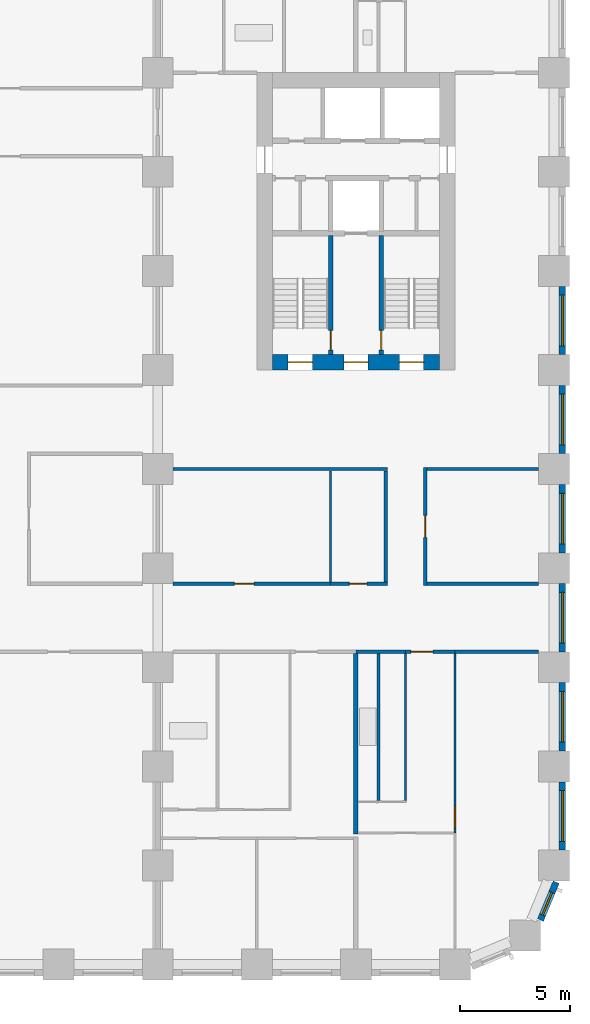
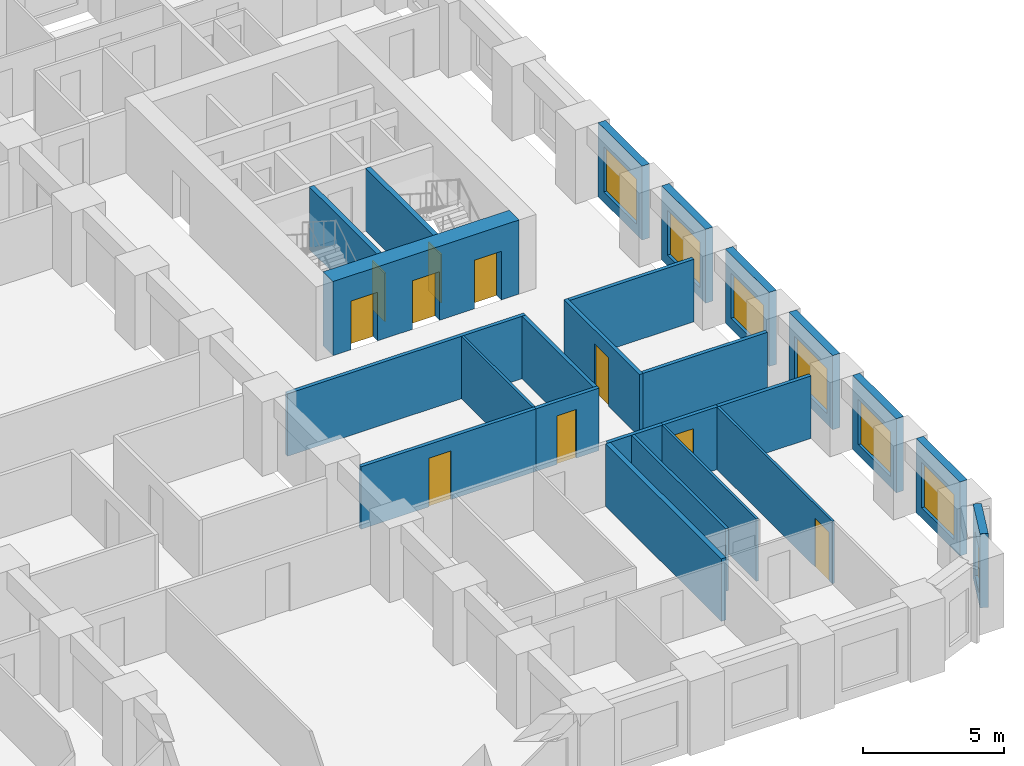
# One storey, part 5 of 12: 25 walls, 10 doors, 7 windows, 17 openings.
"""IFC4 building model written with IfcOpenShell, lengths in metres."""

import ifcopenshell
import ifcopenshell.guid

model = None  # the IFC model being written
_history = None  # IfcOwnerHistory: only IFC2X3 demands one
_inside = {}  # id of a spatial element -> (the spatial element, [elements in it])
_under = {}  # id of a project, library or spatial element -> (it, [spatial elements below it])
_declared = {}  # id of a project -> (the project, [libraries it declares])
_typed = {}  # id of a type object -> (the type object, [elements of that type])
_made_of = {}  # id of a material, layer set ... -> (it, [elements and type objects made of it])


def new_model(schema):
    """Start an empty IFC model of exactly this schema.

    Asked for "IFC4X3", IfcOpenShell would pick the latest addendum, in which some entities
    have other attributes; the version numbers below select the first issue.
    IFC2X3 requires an IfcOwnerHistory on every rooted entity: one is made here for all.
    """
    global model, _history
    if schema == "IFC4X3":
        model = ifcopenshell.file(schema_version=(4, 3, 0, 0))
    else:
        model = ifcopenshell.file(schema=schema)
    _inside.clear()
    _under.clear()
    _declared.clear()
    _typed.clear()
    _made_of.clear()
    _history = None
    if model.schema == "IFC2X3":
        org = make("IfcOrganization", Name="unknown")
        user = make(
            "IfcPersonAndOrganization",
            ThePerson=make("IfcPerson", FamilyName="unknown"),
            TheOrganization=org,
        )
        app = make(
            "IfcApplication",
            ApplicationDeveloper=org,
            Version="unknown",
            ApplicationFullName="unknown",
            ApplicationIdentifier="unknown",
        )
        _history = make(
            "IfcOwnerHistory",
            OwningUser=user,
            OwningApplication=app,
            ChangeAction="ADDED",
            CreationDate=0,
        )
    return model


def make(cls, **values):
    """One entity of the class cls with the attributes given. An attribute that is None is left unset."""
    return model.create_entity(
        cls, **{name: value for name, value in values.items() if value is not None}
    )


def rooted(cls, **values):
    """An entity with a GlobalId (a new one), such as an element, a storey or a relation."""
    return make(cls, GlobalId=ifcopenshell.guid.new(), OwnerHistory=_history, **values)


def si_unit(unit_type, name, prefix=None):
    """IfcSIUnit, for example si_unit("LENGTHUNIT", "METRE", prefix="MILLI")."""
    return make("IfcSIUnit", UnitType=unit_type, Prefix=prefix, Name=name)


def assignment(units):
    """IfcUnitAssignment: the units of a project."""
    return None if units is None else make("IfcUnitAssignment", Units=units)


def point(xyz):
    """IfcCartesianPoint."""
    return None if xyz is None else make("IfcCartesianPoint", Coordinates=xyz)


def direction(xyz):
    """IfcDirection."""
    return None if xyz is None else make("IfcDirection", DirectionRatios=xyz)


def frame(location, z_axis=None, x_axis=None):
    """IfcAxis2Placement3D, a coordinate frame: its origin and axes. An axis left out is left unset."""
    return make(
        "IfcAxis2Placement3D",
        Location=point(location),
        Axis=direction(z_axis),
        RefDirection=direction(x_axis),
    )


def frame_2d(location, x_axis=None):
    """IfcAxis2Placement2D, a coordinate frame in the plane: its origin and x axis."""
    return make(
        "IfcAxis2Placement2D", Location=point(location), RefDirection=direction(x_axis)
    )


def origin():
    """The frame at (0, 0, 0) with its axes left unset."""
    return frame((0.0, 0.0, 0.0))


def place(relative_to, where):
    """IfcLocalPlacement: puts the frame where relative to a parent placement (None: the world)."""
    return make(
        "IfcLocalPlacement", PlacementRelTo=relative_to, RelativePlacement=where
    )


def context(
    kind, dimensions, precision=None, world=None, true_north=None, identifier=None
):
    """IfcGeometricRepresentationContext, for example the 3D "Model" context."""
    return make(
        "IfcGeometricRepresentationContext",
        ContextIdentifier=identifier,
        ContextType=kind,
        CoordinateSpaceDimension=dimensions,
        Precision=precision,
        WorldCoordinateSystem=world,
        TrueNorth=true_north,
    )


def subcontext(parent, identifier, kind, view, scale=None):
    """IfcGeometricRepresentationSubContext, for example "Body" below "Model"."""
    return make(
        "IfcGeometricRepresentationSubContext",
        ContextIdentifier=identifier,
        ContextType=kind,
        ParentContext=parent,
        TargetScale=scale,
        TargetView=view,
    )


def project(units=None, contexts=None):
    """IfcProject with its units and contexts."""
    return rooted(
        "IfcProject",
        Name="project",
        RepresentationContexts=contexts,
        UnitsInContext=assignment(units),
    )


def spatial(cls, under=None, at=None, **own):
    """A site, building, storey or space (cls), placed at a placement, below another one or the project."""
    s = rooted(cls, ObjectPlacement=at, **own)
    if under is not None:
        _under.setdefault(under.id(), (under, []))[1].append(s)
    return s


def profile(cls, at=None, kind="AREA", **sizes):
    """A parametric profile (cls). Its sizes go by their IFC names, for example OverallWidth=200.0."""
    return make(cls, ProfileType=kind, Position=at, **sizes)


def rectangle(**sizes):
    """IfcRectangleProfileDef."""
    return profile("IfcRectangleProfileDef", **sizes)


def extrude(swept, where, along, depth):
    """IfcExtrudedAreaSolid: the profile swept, set in the frame where, extruded along a direction by depth."""
    return make(
        "IfcExtrudedAreaSolid",
        SweptArea=swept,
        Position=where,
        ExtrudedDirection=direction(along),
        Depth=depth,
    )


def shape(context_of_items, identifier, shape_type, items):
    """IfcShapeRepresentation: the items that make up one representation, for example the "Body"."""
    return make(
        "IfcShapeRepresentation",
        ContextOfItems=context_of_items,
        RepresentationIdentifier=identifier,
        RepresentationType=shape_type,
        Items=items,
    )


def material(Name=None, Category=None):
    """IfcMaterial."""
    return make("IfcMaterial", Name=Name, Category=Category)


def layer(
    of_material, thickness, ventilated=None, Name=None, Category=None, Priority=None
):
    """IfcMaterialLayer: one layer of a wall or slab, of a material (None: an air gap)."""
    return make(
        "IfcMaterialLayer",
        Material=of_material,
        LayerThickness=thickness,
        IsVentilated=ventilated,
        Name=Name,
        Category=Category,
        Priority=Priority,
    )


def layer_set(layers, Name=None):
    """IfcMaterialLayerSet."""
    return make("IfcMaterialLayerSet", MaterialLayers=layers, LayerSetName=Name)


def made_of(thing, what):
    """Note that an element or type object is made of a material, layer set ...; save() writes the relation."""
    if what is not None:
        _made_of.setdefault(what.id(), (what, []))[1].append(thing)
    return thing


def type_object(cls, material=None, **own):
    """A type object (cls), such as IfcWallType, which elements share."""
    return made_of(rooted(cls, **own), material)


def element(
    cls,
    number,
    at=None,
    inside=None,
    cuts=None,
    type_object=None,
    material=None,
    context=None,
    identifier="Body",
    shape_type=None,
    held_by="IfcProductDefinitionShape",
    body=None,
    shapes=None,
    **own,
):
    """One element of the class cls, such as IfcWall. Its Tag is "e" and its number.

    at: its placement. inside: the storey or other place that contains it. cuts: it is an
    opening in that element (IfcRelVoidsElement). A single representation is given by context,
    identifier, shape_type and body (its items); several are given by shapes. held_by: the class
    of the entity that holds the representations. save() writes the other relations.
    """
    e = rooted(cls, Tag="e%d" % number, ObjectPlacement=at, **own)
    if body is not None:
        shapes = [shape(context, identifier, shape_type, body)]
    if shapes is not None:
        e.Representation = make(held_by, Representations=shapes)
    if inside is not None:
        _inside.setdefault(inside.id(), (inside, []))[1].append(e)
    if cuts is not None:
        rooted(
            "IfcRelVoidsElement", RelatingBuildingElement=cuts, RelatedOpeningElement=e
        )
    if type_object is not None:
        _typed.setdefault(type_object.id(), (type_object, []))[1].append(e)
    return made_of(e, material)


def fill(opening, filler):
    """IfcRelFillsElement: the door or window that sits in an opening."""
    return rooted(
        "IfcRelFillsElement",
        RelatingOpeningElement=opening,
        RelatedBuildingElement=filler,
    )


def aggregate(whole, parts):
    """IfcRelAggregates: a whole, such as a stair, and the parts it consists of."""
    return rooted("IfcRelAggregates", RelatingObject=whole, RelatedObjects=parts)


def save(model, path):
    """Write the relations noted so far, then the file.

    IfcRelAggregates (storeys below a building ...), IfcRelContainedInSpatialStructure (elements
    in a storey), IfcRelDefinesByType, IfcRelAssociatesMaterial and IfcRelDeclares: one each for
    every whole, place, type object, material and project.
    """
    for whole, parts in _under.values():
        aggregate(whole, parts)
    for where, things in _inside.values():
        rooted(
            "IfcRelContainedInSpatialStructure",
            RelatedElements=things,
            RelatingStructure=where,
        )
    for kind, things in _typed.values():
        rooted("IfcRelDefinesByType", RelatedObjects=things, RelatingType=kind)
    for what, things in _made_of.values():
        rooted("IfcRelAssociatesMaterial", RelatedObjects=things, RelatingMaterial=what)
    for by, libraries in _declared.values():
        rooted("IfcRelDeclares", RelatingContext=by, RelatedDefinitions=libraries)
    model.write(path)


model = new_model("IFC4")

# Units and contexts
model_context = context("Model", 3, precision=1e-05, world=origin(), true_north=direction((0.0, 1.0)))
body_context = subcontext(model_context, "Body", "Model", "MODEL_VIEW")
ifc_project = project(units=[si_unit("LENGTHUNIT", "METRE"), si_unit("AREAUNIT", "SQUARE_METRE"), si_unit("VOLUMEUNIT", "CUBIC_METRE"), si_unit("PLANEANGLEUNIT", "RADIAN"), si_unit("MASSUNIT", "GRAM", prefix="KILO")], contexts=[model_context])

# Site, building, storey
site_placement = place(None, origin())
site = spatial("IfcSite", under=ifc_project, at=site_placement, CompositionType="ELEMENT")
building_placement = place(site_placement, origin())
building = spatial("IfcBuilding", under=site, at=building_placement, Name="Girih Gate Residences", CompositionType="ELEMENT")
storey_placement = place(building_placement, frame((0.0, 0.0, 72.0)))
storey = spatial("IfcBuildingStorey", under=building, at=storey_placement, Name="L19", CompositionType="ELEMENT", Elevation=72.0)

# Wall
ifc_material_1 = material(Name="Gypsum board on steel studs", Category="steel")
ifc_layer_1 = layer(ifc_material_1, 0.14990234375)
ifc_layer_set_1 = layer_set([ifc_layer_1], Name="Compartment wall 150 mm")
wall_type_1 = type_object("IfcWallType", Name="Compartment wall 150 mm", PredefinedType="PARTITIONING", material=ifc_layer_set_1)
wall_1_placement = place(storey_placement, frame((40.5, 14.199951171875, 0.0), z_axis=(0.0, 0.0, 1.0), x_axis=(1.0, 0.0, 0.0)))
element("IfcWall", 1, at=wall_1_placement, inside=storey, type_object=wall_type_1, Name="L19 partition", PredefinedType="PARTITIONING", context=body_context, shape_type="SweptSolid", body=[
    extrude(rectangle(XDim=2.25, YDim=0.14990234375, at=frame_2d((1.125, 0.0))), origin(), (0.0, 0.0, 1.0), 2.699951171875),
])

# Wall, opening, door
wall_2_placement = place(storey_placement, frame((45.0, 14.199951171875, 0.0), z_axis=(0.0, 0.0, 1.0), x_axis=(-1.0, 0.0, 0.0)))
wall_2 = element("IfcWall", 2, at=wall_2_placement, inside=storey, type_object=wall_type_1, Name="L19 partition", PredefinedType="PARTITIONING", context=body_context, shape_type="SweptSolid", body=[
    extrude(rectangle(XDim=2.25, YDim=0.14990234375, at=frame_2d((1.125, 0.0))), origin(), (0.0, 0.0, 1.0), 2.699951171875),
])
opening_1_placement = place(wall_2_placement, frame((1.0, 0.0, 0.0)))
opening_1 = element("IfcOpeningElement", 3, at=opening_1_placement, cuts=wall_2, Name="Opening A19-018", PredefinedType="OPENING", context=body_context, shape_type="SweptSolid", body=[
    extrude(rectangle(XDim=1.0, YDim=2.10009765625, at=frame_2d((0.5, 1.050048828125))), frame((0.0, 0.0849609375, 0.0), z_axis=(0.0, -1.0, 0.0), x_axis=(1.0, 0.0, 0.0)), (0.0, 0.0, 1.0), 0.169921875),
])
ifc_material_2 = material(Name="Timber, fire-rated core", Category="wood")
door_type_1 = type_object("IfcDoorType", Name="Flat entrance door 1000x2100 FD30S", OperationType="NOTDEFINED", PredefinedType="DOOR", material=ifc_material_2)
door_1_placement = place(opening_1_placement, origin())
door_1 = element("IfcDoor", 4, at=door_1_placement, inside=storey, type_object=door_type_1, Name="Door A19-018", OperationType="SINGLE_SWING_RIGHT", OverallHeight=2.10009765625, OverallWidth=1.0, PredefinedType="DOOR", context=body_context, shape_type="SweptSolid", body=[
    extrude(rectangle(XDim=1.0, YDim=2.10009765625, at=frame_2d((0.5, 1.050048828125))), frame((0.0, 0.02490234375, 0.0), z_axis=(0.0, -1.0, 0.0), x_axis=(1.0, 0.0, 0.0)), (0.0, 0.0, 1.0), 0.050048828125),
])
fill(opening_1, door_1)

# Wall
wall_3_placement = place(storey_placement, frame((45.0, 14.199951171875, 0.0), z_axis=(0.0, 0.0, 1.0), x_axis=(1.0, 0.0, 0.0)))
element("IfcWall", 5, at=wall_3_placement, inside=storey, type_object=wall_type_1, Name="L19 partition", PredefinedType="PARTITIONING", context=body_context, shape_type="SweptSolid", body=[
    extrude(rectangle(XDim=3.800048828125, YDim=0.14990234375, at=frame_2d((1.89990234375, 0.0))), origin(), (0.0, 0.0, 1.0), 2.699951171875),
])

# Wall, opening, door
wall_4_placement = place(storey_placement, frame((32.199951171875, 17.300048828125, 0.0), z_axis=(0.0, 0.0, 1.0), x_axis=(1.0, 0.0, 0.0)))
wall_4 = element("IfcWall", 6, at=wall_4_placement, inside=storey, type_object=wall_type_1, Name="L19 partition", PredefinedType="PARTITIONING", context=body_context, shape_type="SweptSolid", body=[
    extrude(rectangle(XDim=7.150146484375, YDim=0.14990234375, at=frame_2d((3.5751953125, 0.0))), origin(), (0.0, 0.0, 1.0), 2.699951171875),
])
opening_2_placement = place(wall_4_placement, frame((2.77490234375, 0.0, 0.0)))
opening_2 = element("IfcOpeningElement", 7, at=opening_2_placement, cuts=wall_4, Name="Opening A19-042", PredefinedType="OPENING", context=body_context, shape_type="SweptSolid", body=[
    extrude(rectangle(XDim=0.89990234375, YDim=2.10009765625, at=frame_2d((0.449951171875, 1.050048828125))), frame((0.0, 0.0849609375, 0.0), z_axis=(0.0, -1.0, 0.0), x_axis=(1.0, 0.0, 0.0)), (0.0, 0.0, 1.0), 0.169921875),
])
ifc_material_3 = material(Name="Timber", Category="wood")
door_type_2 = type_object("IfcDoorType", Name="Service room door 900x2100", OperationType="NOTDEFINED", PredefinedType="DOOR", material=ifc_material_3)
door_2_placement = place(opening_2_placement, origin())
door_2 = element("IfcDoor", 8, at=door_2_placement, inside=storey, type_object=door_type_2, Name="Door A19-042", OperationType="SINGLE_SWING_LEFT", OverallHeight=2.10009765625, OverallWidth=0.89990234375, PredefinedType="DOOR", context=body_context, shape_type="SweptSolid", body=[
    extrude(rectangle(XDim=0.89990234375, YDim=2.10009765625, at=frame_2d((0.449951171875, 1.050048828125))), frame((0.0, 0.02490234375, 0.0), z_axis=(0.0, -1.0, 0.0), x_axis=(1.0, 0.0, 0.0)), (0.0, 0.0, 1.0), 0.050048828125),
])
fill(opening_2, door_2)

wall_5_placement = place(storey_placement, frame((39.35009765625, 17.300048828125, 0.0), z_axis=(0.0, 0.0, 1.0), x_axis=(1.0, 0.0, 0.0)))
wall_5 = element("IfcWall", 9, at=wall_5_placement, inside=storey, type_object=wall_type_1, Name="L19 partition", PredefinedType="PARTITIONING", context=body_context, shape_type="SweptSolid", body=[
    extrude(rectangle(XDim=2.574951171875, YDim=0.14990234375, at=frame_2d((1.28759765625, 0.0))), origin(), (0.0, 0.0, 1.0), 2.699951171875),
])
opening_3_placement = place(wall_5_placement, frame((0.85009765625, 0.0, 0.0)))
opening_3 = element("IfcOpeningElement", 10, at=opening_3_placement, cuts=wall_5, Name="Opening A19-044", PredefinedType="OPENING", context=body_context, shape_type="SweptSolid", body=[
    extrude(rectangle(XDim=0.800048828125, YDim=2.10009765625, at=frame_2d((0.39990234375, 1.050048828125))), frame((0.0, 0.0849609375, 0.0), z_axis=(0.0, -1.0, 0.0), x_axis=(1.0, 0.0, 0.0)), (0.0, 0.0, 1.0), 0.169921875),
])
door_type_3 = type_object("IfcDoorType", Name="Bathroom door 800x2100", OperationType="NOTDEFINED", PredefinedType="DOOR", material=ifc_material_3)
door_3_placement = place(opening_3_placement, origin())
door_3 = element("IfcDoor", 11, at=door_3_placement, inside=storey, type_object=door_type_3, Name="Door A19-044", OperationType="SINGLE_SWING_LEFT", OverallHeight=2.10009765625, OverallWidth=0.800048828125, PredefinedType="DOOR", context=body_context, shape_type="SweptSolid", body=[
    extrude(rectangle(XDim=0.800048828125, YDim=2.10009765625, at=frame_2d((0.39990234375, 1.050048828125))), frame((0.0, 0.02490234375, 0.0), z_axis=(0.0, -1.0, 0.0), x_axis=(1.0, 0.0, 0.0)), (0.0, 0.0, 1.0), 0.050048828125),
])
fill(opening_3, door_3)

# Walls
wall_6_placement = place(storey_placement, frame((43.72509765625, 17.300048828125, 0.0), z_axis=(0.0, 0.0, 1.0), x_axis=(1.0, 0.0, 0.0)))
element("IfcWall", 12, at=wall_6_placement, inside=storey, type_object=wall_type_1, Name="L19 partition", PredefinedType="PARTITIONING", context=body_context, shape_type="SweptSolid", body=[
    extrude(rectangle(XDim=5.074951171875, YDim=0.14990234375, at=frame_2d((2.53759765625, 0.0))), origin(), (0.0, 0.0, 1.0), 2.699951171875),
])
wall_7_placement = place(storey_placement, frame((32.199951171875, 22.5, 0.0), z_axis=(0.0, 0.0, 1.0), x_axis=(1.0, 0.0, 0.0)))
element("IfcWall", 13, at=wall_7_placement, inside=storey, type_object=wall_type_1, Name="L19 partition", PredefinedType="PARTITIONING", context=body_context, shape_type="SweptSolid", body=[
    extrude(rectangle(XDim=9.72509765625, YDim=0.14990234375, at=frame_2d((4.862548828125, 0.0))), origin(), (0.0, 0.0, 1.0), 2.699951171875),
])
wall_8_placement = place(storey_placement, frame((43.72509765625, 22.5, 0.0), z_axis=(0.0, 0.0, 1.0), x_axis=(1.0, 0.0, 0.0)))
element("IfcWall", 14, at=wall_8_placement, inside=storey, type_object=wall_type_1, Name="L19 partition", PredefinedType="PARTITIONING", context=body_context, shape_type="SweptSolid", body=[
    extrude(rectangle(XDim=5.074951171875, YDim=0.14990234375, at=frame_2d((2.53759765625, 0.0))), origin(), (0.0, 0.0, 1.0), 2.699951171875),
])
wall_9_placement = place(storey_placement, frame((41.85009765625, 17.375, 0.0), z_axis=(0.0, 0.0, 1.0), x_axis=(0.0, 1.0, 0.0)))
element("IfcWall", 15, at=wall_9_placement, inside=storey, type_object=wall_type_1, Name="L19 partition", PredefinedType="PARTITIONING", context=body_context, shape_type="SweptSolid", body=[
    extrude(rectangle(XDim=5.050048828125, YDim=0.14990234375, at=frame_2d((2.52490234375, 0.0))), origin(), (0.0, 0.0, 1.0), 2.699951171875),
])

# Wall, opening, door
wall_10_placement = place(storey_placement, frame((43.64990234375, 22.574951171875, 0.0), z_axis=(0.0, 0.0, 1.0), x_axis=(0.0, -1.0, 0.0)))
wall_10 = element("IfcWall", 16, at=wall_10_placement, inside=storey, type_object=wall_type_1, Name="L19 partition", PredefinedType="PARTITIONING", context=body_context, shape_type="SweptSolid", body=[
    extrude(rectangle(XDim=5.349853515625, YDim=0.14990234375, at=frame_2d((2.6748046875, 0.0))), origin(), (0.0, 0.0, 1.0), 2.699951171875),
])
opening_4_placement = place(wall_10_placement, frame((2.175048828125, 0.0, 0.0)))
opening_4 = element("IfcOpeningElement", 17, at=opening_4_placement, cuts=wall_10, Name="Opening A19-046", PredefinedType="OPENING", context=body_context, shape_type="SweptSolid", body=[
    extrude(rectangle(XDim=1.0, YDim=2.10009765625, at=frame_2d((0.5, 1.050048828125))), frame((0.0, 0.0849609375, 0.0), z_axis=(0.0, -1.0, 0.0), x_axis=(1.0, 0.0, 0.0)), (0.0, 0.0, 1.0), 0.169921875),
])
door_type_4 = type_object("IfcDoorType", Name="Amenity room door 1000x2100 FD30S", OperationType="NOTDEFINED", PredefinedType="DOOR", material=ifc_material_2)
door_4_placement = place(opening_4_placement, origin())
door_4 = element("IfcDoor", 18, at=door_4_placement, inside=storey, type_object=door_type_4, Name="Door A19-046", OperationType="SINGLE_SWING_RIGHT", OverallHeight=2.10009765625, OverallWidth=1.0, PredefinedType="DOOR", context=body_context, shape_type="SweptSolid", body=[
    extrude(rectangle(XDim=1.0, YDim=2.10009765625, at=frame_2d((0.5, 1.050048828125))), frame((0.0, 0.02490234375, 0.0), z_axis=(0.0, -1.0, 0.0), x_axis=(1.0, 0.0, 0.0)), (0.0, 0.0, 1.0), 0.050048828125),
])
fill(opening_4, door_4)

# Wall, openings, doors
ifc_material_4 = material(Name="Concrete C60/75", Category="concrete")
ifc_layer_2 = layer(ifc_material_4, 0.699951171875)
ifc_layer_set_2 = layer_set([ifc_layer_2], Name="Core wall RC 700 Concrete C60/75")
wall_type_2 = type_object("IfcWallType", Name="Core wall RC 700 Concrete C60/75", PredefinedType="SOLIDWALL", material=ifc_layer_set_2)
wall_11_placement = place(storey_placement, frame((36.699951171875, 27.35009765625, 0.0), z_axis=(0.0, 0.0, 1.0), x_axis=(1.0, 0.0, 0.0)))
wall_11 = element("IfcWall", 19, at=wall_11_placement, inside=storey, type_object=wall_type_2, Name="Core wall E-S L19", PredefinedType="SOLIDWALL", context=body_context, shape_type="SweptSolid", body=[
    extrude(rectangle(XDim=7.60009765625, YDim=0.699951171875, at=frame_2d((3.800048828125, 0.0))), origin(), (0.0, 0.0, 1.0), 3.199951171875),
])
opening_5_placement = place(wall_11_placement, frame((5.77490234375, 0.0, 0.0)))
opening_5 = element("IfcOpeningElement", 20, at=opening_5_placement, cuts=wall_11, Name="Opening D-L19-E-011", PredefinedType="OPENING", context=body_context, shape_type="SweptSolid", body=[
    extrude(rectangle(XDim=1.10009765625, YDim=2.10009765625, at=frame_2d((0.550048828125, 1.050048828125))), frame((0.0, 0.35986328125, 0.0), z_axis=(0.0, -1.0, 0.0), x_axis=(1.0, 0.0, 0.0)), (0.0, 0.0, 1.0), 0.719970703125),
])
opening_6_placement = place(wall_11_placement, frame((3.25, 0.0, 0.0)))
opening_6 = element("IfcOpeningElement", 21, at=opening_6_placement, cuts=wall_11, Name="Opening D-L19-E-012", PredefinedType="OPENING", context=body_context, shape_type="SweptSolid", body=[
    extrude(rectangle(XDim=1.10009765625, YDim=2.10009765625, at=frame_2d((0.550048828125, 1.050048828125))), frame((0.0, 0.35986328125, 0.0), z_axis=(0.0, -1.0, 0.0), x_axis=(1.0, 0.0, 0.0)), (0.0, 0.0, 1.0), 0.719970703125),
])
opening_7_placement = place(wall_11_placement, frame((0.72509765625, 0.0, 0.0)))
opening_7 = element("IfcOpeningElement", 22, at=opening_7_placement, cuts=wall_11, Name="Opening D-L19-E-013", PredefinedType="OPENING", context=body_context, shape_type="SweptSolid", body=[
    extrude(rectangle(XDim=1.10009765625, YDim=2.10009765625, at=frame_2d((0.550048828125, 1.050048828125))), frame((0.0, 0.35986328125, 0.0), z_axis=(0.0, -1.0, 0.0), x_axis=(1.0, 0.0, 0.0)), (0.0, 0.0, 1.0), 0.719970703125),
])
ifc_material_5 = material(Name="Painted steel, fire-resisting", Category="steel")
door_type_5 = type_object("IfcDoorType", Name="Fire door 1100x2100", OperationType="SINGLE_SWING_LEFT", PredefinedType="DOOR", material=ifc_material_5)
door_5_placement = place(opening_5_placement, origin())
door_5 = element("IfcDoor", 23, at=door_5_placement, inside=storey, type_object=door_type_5, Name="L19 E core door sta-out", OperationType="SINGLE_SWING_LEFT", OverallHeight=2.10009765625, OverallWidth=1.10009765625, PredefinedType="DOOR", context=body_context, shape_type="SweptSolid", body=[
    extrude(rectangle(XDim=1.10009765625, YDim=2.10009765625, at=frame_2d((0.550048828125, 1.050048828125))), frame((0.0, 0.02490234375, 0.0), z_axis=(0.0, -1.0, 0.0), x_axis=(1.0, 0.0, 0.0)), (0.0, 0.0, 1.0), 0.050048828125),
])
fill(opening_5, door_5)
door_6_placement = place(opening_6_placement, origin())
door_6 = element("IfcDoor", 24, at=door_6_placement, inside=storey, type_object=door_type_5, Name="L19 E core door ffl-out", OperationType="SINGLE_SWING_LEFT", OverallHeight=2.10009765625, OverallWidth=1.10009765625, PredefinedType="DOOR", context=body_context, shape_type="SweptSolid", body=[
    extrude(rectangle(XDim=1.10009765625, YDim=2.10009765625, at=frame_2d((0.550048828125, 1.050048828125))), frame((0.0, 0.02490234375, 0.0), z_axis=(0.0, -1.0, 0.0), x_axis=(1.0, 0.0, 0.0)), (0.0, 0.0, 1.0), 0.050048828125),
])
fill(opening_6, door_6)
door_7_placement = place(opening_7_placement, origin())
door_7 = element("IfcDoor", 25, at=door_7_placement, inside=storey, type_object=door_type_5, Name="L19 E core door stb-out", OperationType="SINGLE_SWING_LEFT", OverallHeight=2.10009765625, OverallWidth=1.10009765625, PredefinedType="DOOR", context=body_context, shape_type="SweptSolid", body=[
    extrude(rectangle(XDim=1.10009765625, YDim=2.10009765625, at=frame_2d((0.550048828125, 1.050048828125))), frame((0.0, 0.02490234375, 0.0), z_axis=(0.0, -1.0, 0.0), x_axis=(1.0, 0.0, 0.0)), (0.0, 0.0, 1.0), 0.050048828125),
])
fill(opening_7, door_7)

# Wall
ifc_layer_3 = layer(ifc_material_1, 0.10009765625)
ifc_layer_set_3 = layer_set([ifc_layer_3], Name="Partition 100 mm")
wall_type_3 = type_object("IfcWallType", Name="Partition 100 mm", PredefinedType="PARTITIONING", material=ifc_layer_set_3)
wall_12_placement = place(storey_placement, frame((42.75, 7.449951171875, 0.0), z_axis=(0.0, 0.0, 1.0), x_axis=(0.0, 1.0, 0.0)))
element("IfcWall", 26, at=wall_12_placement, inside=storey, type_object=wall_type_3, Name="L19 partition", PredefinedType="PARTITIONING", context=body_context, shape_type="SweptSolid", body=[
    extrude(rectangle(XDim=6.675048828125, YDim=0.10009765625, at=frame_2d((3.33740234375, 0.0))), origin(), (0.0, 0.0, 1.0), 2.699951171875),
])

# Wall, opening, door
wall_13_placement = place(storey_placement, frame((45.0, 14.125, 0.0), z_axis=(0.0, 0.0, 1.0), x_axis=(0.0, -1.0, 0.0)))
wall_13 = element("IfcWall", 27, at=wall_13_placement, inside=storey, type_object=wall_type_3, Name="L19 partition", PredefinedType="PARTITIONING", context=body_context, shape_type="SweptSolid", body=[
    extrude(rectangle(XDim=8.14501953125, YDim=0.10009765625, at=frame_2d((4.072509765625, 0.0))), origin(), (0.0, 0.0, 1.0), 2.699951171875),
])
opening_8_placement = place(wall_13_placement, frame((6.93505859375, 0.0, 0.0)))
opening_8 = element("IfcOpeningElement", 28, at=opening_8_placement, cuts=wall_13, Name="Opening A19-017", PredefinedType="OPENING", context=body_context, shape_type="SweptSolid", body=[
    extrude(rectangle(XDim=1.0, YDim=2.10009765625, at=frame_2d((0.5, 1.050048828125))), frame((0.0, 0.06005859375, 0.0), z_axis=(0.0, -1.0, 0.0), x_axis=(1.0, 0.0, 0.0)), (0.0, 0.0, 1.0), 0.1201171875),
])
door_type_6 = type_object("IfcDoorType", Name="Living room door 1000x2100", OperationType="NOTDEFINED", PredefinedType="DOOR", material=ifc_material_3)
door_8_placement = place(opening_8_placement, origin())
door_8 = element("IfcDoor", 29, at=door_8_placement, inside=storey, type_object=door_type_6, Name="Door A19-017", OperationType="SINGLE_SWING_RIGHT", OverallHeight=2.10009765625, OverallWidth=1.0, PredefinedType="DOOR", context=body_context, shape_type="SweptSolid", body=[
    extrude(rectangle(XDim=1.0, YDim=2.10009765625, at=frame_2d((0.5, 1.050048828125))), frame((0.0, 0.02490234375, 0.0), z_axis=(0.0, -1.0, 0.0), x_axis=(1.0, 0.0, 0.0)), (0.0, 0.0, 1.0), 0.050048828125),
])
fill(opening_8, door_8)

# Walls
wall_14_placement = place(storey_placement, frame((39.35009765625, 17.375, 0.0), z_axis=(0.0, 0.0, 1.0), x_axis=(0.0, 1.0, 0.0)))
element("IfcWall", 30, at=wall_14_placement, inside=storey, type_object=wall_type_3, Name="L19 partition", PredefinedType="PARTITIONING", context=body_context, shape_type="SweptSolid", body=[
    extrude(rectangle(XDim=5.050048828125, YDim=0.10009765625, at=frame_2d((2.52490234375, 0.0))), origin(), (0.0, 0.0, 1.0), 2.699951171875),
])
ifc_layer_4 = layer(ifc_material_1, 0.199951171875)
ifc_layer_set_4 = layer_set([ifc_layer_4], Name="Party wall 200 mm")
wall_type_4 = type_object("IfcWallType", Name="Party wall 200 mm", PredefinedType="PARTITIONING", material=ifc_layer_set_4)
wall_15_placement = place(storey_placement, frame((40.5, 5.929931640625, 0.0), z_axis=(0.0, 0.0, 1.0), x_axis=(0.0, 1.0, 0.0)))
element("IfcWall", 31, at=wall_15_placement, inside=storey, type_object=wall_type_4, Name="L19 partition", PredefinedType="PARTITIONING", context=body_context, shape_type="SweptSolid", body=[
    extrude(rectangle(XDim=8.195068359375, YDim=0.199951171875, at=frame_2d((4.09765625, 0.0))), origin(), (0.0, 0.0, 1.0), 2.699951171875),
])

# Wall, opening, window
ifc_material_6 = material(Name="Precast concrete C50/60", Category="concrete")
ifc_layer_5 = layer(ifc_material_6, 0.080078125, Name="Outer leaf")
ifc_material_7 = material(Name="Rigid PIR insulation")
ifc_layer_6 = layer(ifc_material_7, 0.14990234375, Name="Insulation")
ifc_material_8 = material(Name="Precast concrete C40/50", Category="concrete")
ifc_layer_7 = layer(ifc_material_8, 0.070068359375, Name="Inner leaf")
ifc_layer_set_5 = layer_set([ifc_layer_5, ifc_layer_6, ifc_layer_7], Name="Precast concrete C50/60 external wall 300")
wall_type_5 = type_object("IfcWallType", Name="Precast concrete C50/60 external wall 300", PredefinedType="SOLIDWALL", material=ifc_layer_set_5)
wall_16_placement = place(storey_placement, frame((49.59228515625, 3.74267578125, 0.0), z_axis=(0.0, 0.0, 1.0), x_axis=(-0.382737135771, -0.923857286003, 0.0)))
wall_16 = element("IfcWall", 32, at=wall_16_placement, inside=storey, type_object=wall_type_5, Name="External wall SE0482_0013.0", PredefinedType="SOLIDWALL", context=body_context, shape_type="SweptSolid", body=[
    extrude(rectangle(XDim=1.865234375, YDim=0.300048828125, at=frame_2d((0.9326171875, 0.0))), origin(), (0.0, 0.0, 1.0), 3.199951171875),
])
opening_9_placement = place(wall_16_placement, frame((0.507568359375, 0.0, 0.449951171875)))
opening_9 = element("IfcOpeningElement", 33, at=opening_9_placement, cuts=wall_16, Name="Opening W-2C", PredefinedType="OPENING", context=body_context, shape_type="SweptSolid", body=[
    extrude(rectangle(XDim=1.10009765625, YDim=1.949951171875, at=frame_2d((0.550048828125, 0.97509765625))), frame((0.0, 0.159912109375, 0.0), z_axis=(0.0, -1.0, 0.0), x_axis=(1.0, 0.0, 0.0)), (0.0, 0.0, 1.0), 0.320068359375),
])
ifc_material_9 = material(Name="Double glazing in aluminium frame", Category="aluminium")
window_type_1 = type_object("IfcWindowType", Name="Window W-2C 1100x1950", PartitioningType="SINGLE_PANEL", PredefinedType="WINDOW", material=ifc_material_9)
window_1_placement = place(opening_9_placement, origin())
window_1 = element("IfcWindow", 34, at=window_1_placement, inside=storey, type_object=window_type_1, Name="Window W-2C SE0482_0013.0", OverallHeight=1.949951171875, OverallWidth=1.10009765625, PartitioningType="SINGLE_PANEL", PredefinedType="WINDOW", context=body_context, shape_type="SweptSolid", body=[
    extrude(rectangle(XDim=1.10009765625, YDim=1.949951171875, at=frame_2d((0.550048828125, 0.97509765625))), frame((0.0, 0.030029296875, 0.0), z_axis=(0.0, -1.0, 0.0), x_axis=(1.0, 0.0, 0.0)), (0.0, 0.0, 1.0), 0.06005859375),
])
fill(opening_9, window_1)

wall_17_placement = place(storey_placement, frame((49.875, 8.300048828125, 0.0), z_axis=(0.0, 0.0, 1.0), x_axis=(0.0, -1.0, 0.0)))
wall_17 = element("IfcWall", 35, at=wall_17_placement, inside=storey, type_object=wall_type_5, Name="External wall E0495_0045.0", PredefinedType="SOLIDWALL", context=body_context, shape_type="SweptSolid", body=[
    extrude(rectangle(XDim=3.10009765625, YDim=0.300048828125, at=frame_2d((1.550048828125, 0.0))), origin(), (0.0, 0.0, 1.0), 3.199951171875),
])
opening_10_placement = place(wall_17_placement, frame((0.39990234375, 0.0, 0.449951171875)))
opening_10 = element("IfcOpeningElement", 36, at=opening_10_placement, cuts=wall_17, Name="Opening W-1", PredefinedType="OPENING", context=body_context, shape_type="SweptSolid", body=[
    extrude(rectangle(XDim=2.300048828125, YDim=1.949951171875, at=frame_2d((1.14990234375, 0.97509765625))), frame((0.0, 0.159912109375, 0.0), z_axis=(0.0, -1.0, 0.0), x_axis=(1.0, 0.0, 0.0)), (0.0, 0.0, 1.0), 0.320068359375),
])
window_type_2 = type_object("IfcWindowType", Name="Window W-1 2300x1950", PartitioningType="SINGLE_PANEL", PredefinedType="WINDOW", material=ifc_material_9)
window_2_placement = place(opening_10_placement, origin())
window_2 = element("IfcWindow", 37, at=window_2_placement, inside=storey, type_object=window_type_2, Name="Window W-1 E0495_0045.0", OverallHeight=1.949951171875, OverallWidth=2.300048828125, PartitioningType="SINGLE_PANEL", PredefinedType="WINDOW", context=body_context, shape_type="SweptSolid", body=[
    extrude(rectangle(XDim=2.300048828125, YDim=1.949951171875, at=frame_2d((1.14990234375, 0.97509765625))), frame((0.0, 0.030029296875, 0.0), z_axis=(0.0, -1.0, 0.0), x_axis=(1.0, 0.0, 0.0)), (0.0, 0.0, 1.0), 0.06005859375),
])
fill(opening_10, window_2)

wall_18_placement = place(storey_placement, frame((49.875, 12.800048828125, 0.0), z_axis=(0.0, 0.0, 1.0), x_axis=(0.0, -1.0, 0.0)))
wall_18 = element("IfcWall", 38, at=wall_18_placement, inside=storey, type_object=wall_type_5, Name="External wall E0495_0045.1", PredefinedType="SOLIDWALL", context=body_context, shape_type="SweptSolid", body=[
    extrude(rectangle(XDim=3.10009765625, YDim=0.300048828125, at=frame_2d((1.550048828125, 0.0))), origin(), (0.0, 0.0, 1.0), 3.199951171875),
])
opening_11_placement = place(wall_18_placement, frame((0.39990234375, 0.0, 0.449951171875)))
opening_11 = element("IfcOpeningElement", 39, at=opening_11_placement, cuts=wall_18, Name="Opening W-1", PredefinedType="OPENING", context=body_context, shape_type="SweptSolid", body=[
    extrude(rectangle(XDim=2.300048828125, YDim=1.949951171875, at=frame_2d((1.14990234375, 0.97509765625))), frame((0.0, 0.159912109375, 0.0), z_axis=(0.0, -1.0, 0.0), x_axis=(1.0, 0.0, 0.0)), (0.0, 0.0, 1.0), 0.320068359375),
])
window_3_placement = place(opening_11_placement, origin())
window_3 = element("IfcWindow", 40, at=window_3_placement, inside=storey, type_object=window_type_2, Name="Window W-1 E0495_0045.1", OverallHeight=1.949951171875, OverallWidth=2.300048828125, PartitioningType="SINGLE_PANEL", PredefinedType="WINDOW", context=body_context, shape_type="SweptSolid", body=[
    extrude(rectangle(XDim=2.300048828125, YDim=1.949951171875, at=frame_2d((1.14990234375, 0.97509765625))), frame((0.0, 0.030029296875, 0.0), z_axis=(0.0, -1.0, 0.0), x_axis=(1.0, 0.0, 0.0)), (0.0, 0.0, 1.0), 0.06005859375),
])
fill(opening_11, window_3)

wall_19_placement = place(storey_placement, frame((49.875, 17.300048828125, 0.0), z_axis=(0.0, 0.0, 1.0), x_axis=(0.0, -1.0, 0.0)))
wall_19 = element("IfcWall", 41, at=wall_19_placement, inside=storey, type_object=wall_type_5, Name="External wall E0495_0045.2", PredefinedType="SOLIDWALL", context=body_context, shape_type="SweptSolid", body=[
    extrude(rectangle(XDim=3.10009765625, YDim=0.300048828125, at=frame_2d((1.550048828125, 0.0))), origin(), (0.0, 0.0, 1.0), 3.199951171875),
])
opening_12_placement = place(wall_19_placement, frame((0.39990234375, 0.0, 0.449951171875)))
opening_12 = element("IfcOpeningElement", 42, at=opening_12_placement, cuts=wall_19, Name="Opening W-1", PredefinedType="OPENING", context=body_context, shape_type="SweptSolid", body=[
    extrude(rectangle(XDim=2.300048828125, YDim=1.949951171875, at=frame_2d((1.14990234375, 0.97509765625))), frame((0.0, 0.159912109375, 0.0), z_axis=(0.0, -1.0, 0.0), x_axis=(1.0, 0.0, 0.0)), (0.0, 0.0, 1.0), 0.320068359375),
])
window_4_placement = place(opening_12_placement, origin())
window_4 = element("IfcWindow", 43, at=window_4_placement, inside=storey, type_object=window_type_2, Name="Window W-1 E0495_0045.2", OverallHeight=1.949951171875, OverallWidth=2.300048828125, PartitioningType="SINGLE_PANEL", PredefinedType="WINDOW", context=body_context, shape_type="SweptSolid", body=[
    extrude(rectangle(XDim=2.300048828125, YDim=1.949951171875, at=frame_2d((1.14990234375, 0.97509765625))), frame((0.0, 0.030029296875, 0.0), z_axis=(0.0, -1.0, 0.0), x_axis=(1.0, 0.0, 0.0)), (0.0, 0.0, 1.0), 0.06005859375),
])
fill(opening_12, window_4)

wall_20_placement = place(storey_placement, frame((49.875, 21.800048828125, 0.0), z_axis=(0.0, 0.0, 1.0), x_axis=(0.0, -1.0, 0.0)))
wall_20 = element("IfcWall", 44, at=wall_20_placement, inside=storey, type_object=wall_type_5, Name="External wall E0495_0045.3", PredefinedType="SOLIDWALL", context=body_context, shape_type="SweptSolid", body=[
    extrude(rectangle(XDim=3.10009765625, YDim=0.300048828125, at=frame_2d((1.550048828125, 0.0))), origin(), (0.0, 0.0, 1.0), 3.199951171875),
])
opening_13_placement = place(wall_20_placement, frame((0.39990234375, 0.0, 0.449951171875)))
opening_13 = element("IfcOpeningElement", 45, at=opening_13_placement, cuts=wall_20, Name="Opening W-1", PredefinedType="OPENING", context=body_context, shape_type="SweptSolid", body=[
    extrude(rectangle(XDim=2.300048828125, YDim=1.949951171875, at=frame_2d((1.14990234375, 0.97509765625))), frame((0.0, 0.159912109375, 0.0), z_axis=(0.0, -1.0, 0.0), x_axis=(1.0, 0.0, 0.0)), (0.0, 0.0, 1.0), 0.320068359375),
])
window_5_placement = place(opening_13_placement, origin())
window_5 = element("IfcWindow", 46, at=window_5_placement, inside=storey, type_object=window_type_2, Name="Window W-1 E0495_0045.3", OverallHeight=1.949951171875, OverallWidth=2.300048828125, PartitioningType="SINGLE_PANEL", PredefinedType="WINDOW", context=body_context, shape_type="SweptSolid", body=[
    extrude(rectangle(XDim=2.300048828125, YDim=1.949951171875, at=frame_2d((1.14990234375, 0.97509765625))), frame((0.0, 0.030029296875, 0.0), z_axis=(0.0, -1.0, 0.0), x_axis=(1.0, 0.0, 0.0)), (0.0, 0.0, 1.0), 0.06005859375),
])
fill(opening_13, window_5)

wall_21_placement = place(storey_placement, frame((49.875, 26.300048828125, 0.0), z_axis=(0.0, 0.0, 1.0), x_axis=(0.0, -1.0, 0.0)))
wall_21 = element("IfcWall", 47, at=wall_21_placement, inside=storey, type_object=wall_type_5, Name="External wall E0495_0045.4", PredefinedType="SOLIDWALL", context=body_context, shape_type="SweptSolid", body=[
    extrude(rectangle(XDim=3.10009765625, YDim=0.300048828125, at=frame_2d((1.550048828125, 0.0))), origin(), (0.0, 0.0, 1.0), 3.199951171875),
])
opening_14_placement = place(wall_21_placement, frame((0.39990234375, 0.0, 0.449951171875)))
opening_14 = element("IfcOpeningElement", 48, at=opening_14_placement, cuts=wall_21, Name="Opening W-1", PredefinedType="OPENING", context=body_context, shape_type="SweptSolid", body=[
    extrude(rectangle(XDim=2.300048828125, YDim=1.949951171875, at=frame_2d((1.14990234375, 0.97509765625))), frame((0.0, 0.159912109375, 0.0), z_axis=(0.0, -1.0, 0.0), x_axis=(1.0, 0.0, 0.0)), (0.0, 0.0, 1.0), 0.320068359375),
])
window_6_placement = place(opening_14_placement, origin())
window_6 = element("IfcWindow", 49, at=window_6_placement, inside=storey, type_object=window_type_2, Name="Window W-1 E0495_0045.4", OverallHeight=1.949951171875, OverallWidth=2.300048828125, PartitioningType="SINGLE_PANEL", PredefinedType="WINDOW", context=body_context, shape_type="SweptSolid", body=[
    extrude(rectangle(XDim=2.300048828125, YDim=1.949951171875, at=frame_2d((1.14990234375, 0.97509765625))), frame((0.0, 0.030029296875, 0.0), z_axis=(0.0, -1.0, 0.0), x_axis=(1.0, 0.0, 0.0)), (0.0, 0.0, 1.0), 0.06005859375),
])
fill(opening_14, window_6)

wall_22_placement = place(storey_placement, frame((49.875, 30.800048828125, 0.0), z_axis=(0.0, 0.0, 1.0), x_axis=(0.0, -1.0, 0.0)))
wall_22 = element("IfcWall", 50, at=wall_22_placement, inside=storey, type_object=wall_type_5, Name="External wall E0495_0045.5", PredefinedType="SOLIDWALL", context=body_context, shape_type="SweptSolid", body=[
    extrude(rectangle(XDim=3.10009765625, YDim=0.300048828125, at=frame_2d((1.550048828125, 0.0))), origin(), (0.0, 0.0, 1.0), 3.199951171875),
])
opening_15_placement = place(wall_22_placement, frame((0.39990234375, 0.0, 0.449951171875)))
opening_15 = element("IfcOpeningElement", 51, at=opening_15_placement, cuts=wall_22, Name="Opening W-1", PredefinedType="OPENING", context=body_context, shape_type="SweptSolid", body=[
    extrude(rectangle(XDim=2.300048828125, YDim=1.949951171875, at=frame_2d((1.14990234375, 0.97509765625))), frame((0.0, 0.159912109375, 0.0), z_axis=(0.0, -1.0, 0.0), x_axis=(1.0, 0.0, 0.0)), (0.0, 0.0, 1.0), 0.320068359375),
])
window_7_placement = place(opening_15_placement, origin())
window_7 = element("IfcWindow", 52, at=window_7_placement, inside=storey, type_object=window_type_2, Name="Window W-1 E0495_0045.5", OverallHeight=1.949951171875, OverallWidth=2.300048828125, PartitioningType="SINGLE_PANEL", PredefinedType="WINDOW", context=body_context, shape_type="SweptSolid", body=[
    extrude(rectangle(XDim=2.300048828125, YDim=1.949951171875, at=frame_2d((1.14990234375, 0.97509765625))), frame((0.0, 0.030029296875, 0.0), z_axis=(0.0, -1.0, 0.0), x_axis=(1.0, 0.0, 0.0)), (0.0, 0.0, 1.0), 0.06005859375),
])
fill(opening_15, window_7)

# Wall, opening, door
ifc_material_10 = material(Name="Concrete C40/50", Category="concrete")
ifc_layer_8 = layer(ifc_material_10, 0.199951171875)
ifc_layer_set_6 = layer_set([ifc_layer_8], Name="Shaft wall 200")
wall_type_6 = type_object("IfcWallType", Name="Shaft wall 200", PredefinedType="SOLIDWALL", material=ifc_layer_set_6)
wall_23_placement = place(storey_placement, frame((41.64990234375, 27.699951171875, 0.0), z_axis=(0.0, 0.0, 1.0), x_axis=(0.0, 1.0, 0.0)))
wall_23 = element("IfcWall", 53, at=wall_23_placement, inside=storey, type_object=wall_type_6, Name="L19 E core wall V1a", PredefinedType="SOLIDWALL", context=body_context, shape_type="SweptSolid", body=[
    extrude(rectangle(XDim=5.400146484375, YDim=0.199951171875, at=frame_2d((2.7001953125, 0.0))), origin(), (0.0, 0.0, 1.0), 2.699951171875),
])
opening_16_placement = place(wall_23_placement, frame((0.199951171875, 0.0, 0.0)))
opening_16 = element("IfcOpeningElement", 54, at=opening_16_placement, cuts=wall_23, Name="Opening D-L19-E-001", PredefinedType="OPENING", context=body_context, shape_type="SweptSolid", body=[
    extrude(rectangle(XDim=0.89990234375, YDim=2.10009765625, at=frame_2d((0.449951171875, 1.050048828125))), frame((0.0, 0.10986328125, 0.0), z_axis=(0.0, -1.0, 0.0), x_axis=(1.0, 0.0, 0.0)), (0.0, 0.0, 1.0), 0.219970703125),
])
door_type_7 = type_object("IfcDoorType", Name="Fire door 900x2100", OperationType="SINGLE_SWING_LEFT", PredefinedType="DOOR", material=ifc_material_5)
door_9_placement = place(opening_16_placement, origin())
door_9 = element("IfcDoor", 55, at=door_9_placement, inside=storey, type_object=door_type_7, Name="L19 E door stair 1 to firefighting lobby", OperationType="SINGLE_SWING_LEFT", OverallHeight=2.10009765625, OverallWidth=0.89990234375, PredefinedType="DOOR", context=body_context, shape_type="SweptSolid", body=[
    extrude(rectangle(XDim=0.89990234375, YDim=2.10009765625, at=frame_2d((0.449951171875, 1.050048828125))), frame((0.0, 0.02490234375, 0.0), z_axis=(0.0, -1.0, 0.0), x_axis=(1.0, 0.0, 0.0)), (0.0, 0.0, 1.0), 0.050048828125),
])
fill(opening_16, door_9)

wall_24_placement = place(storey_placement, frame((39.35009765625, 27.699951171875, 0.0), z_axis=(0.0, 0.0, 1.0), x_axis=(0.0, 1.0, 0.0)))
wall_24 = element("IfcWall", 56, at=wall_24_placement, inside=storey, type_object=wall_type_6, Name="L19 E core wall V2a", PredefinedType="SOLIDWALL", context=body_context, shape_type="SweptSolid", body=[
    extrude(rectangle(XDim=5.400146484375, YDim=0.199951171875, at=frame_2d((2.7001953125, 0.0))), origin(), (0.0, 0.0, 1.0), 2.699951171875),
])
opening_17_placement = place(wall_24_placement, frame((0.199951171875, 0.0, 0.0)))
opening_17 = element("IfcOpeningElement", 57, at=opening_17_placement, cuts=wall_24, Name="Opening D-L19-E-002", PredefinedType="OPENING", context=body_context, shape_type="SweptSolid", body=[
    extrude(rectangle(XDim=0.89990234375, YDim=2.10009765625, at=frame_2d((0.449951171875, 1.050048828125))), frame((0.0, 0.10986328125, 0.0), z_axis=(0.0, -1.0, 0.0), x_axis=(1.0, 0.0, 0.0)), (0.0, 0.0, 1.0), 0.219970703125),
])
door_10_placement = place(opening_17_placement, origin())
door_10 = element("IfcDoor", 58, at=door_10_placement, inside=storey, type_object=door_type_7, Name="L19 E door stair 2 to firefighting lobby", OperationType="SINGLE_SWING_LEFT", OverallHeight=2.10009765625, OverallWidth=0.89990234375, PredefinedType="DOOR", context=body_context, shape_type="SweptSolid", body=[
    extrude(rectangle(XDim=0.89990234375, YDim=2.10009765625, at=frame_2d((0.449951171875, 1.050048828125))), frame((0.0, 0.02490234375, 0.0), z_axis=(0.0, -1.0, 0.0), x_axis=(1.0, 0.0, 0.0)), (0.0, 0.0, 1.0), 0.050048828125),
])
fill(opening_17, door_10)

# Wall
ifc_layer_9 = layer(ifc_material_1, 0.125)
ifc_layer_set_7 = layer_set([ifc_layer_9], Name="Wet room wall 125 mm")
wall_type_7 = type_object("IfcWallType", Name="Wet room wall 125 mm", PredefinedType="PARTITIONING", material=ifc_layer_set_7)
wall_25_placement = place(storey_placement, frame((41.52294921875, 7.46240234375, 0.0), z_axis=(0.0, 0.0, 1.0), x_axis=(0.0, 1.0, 0.0)))
element("IfcWall", 59, at=wall_25_placement, inside=storey, type_object=wall_type_7, Name="L19 partition", PredefinedType="PARTITIONING", context=body_context, shape_type="SweptSolid", body=[
    extrude(rectangle(XDim=6.66259765625, YDim=0.125, at=frame_2d((3.331298828125, 0.0))), origin(), (0.0, 0.0, 1.0), 2.699951171875),
])

save(model, "model.ifc")
